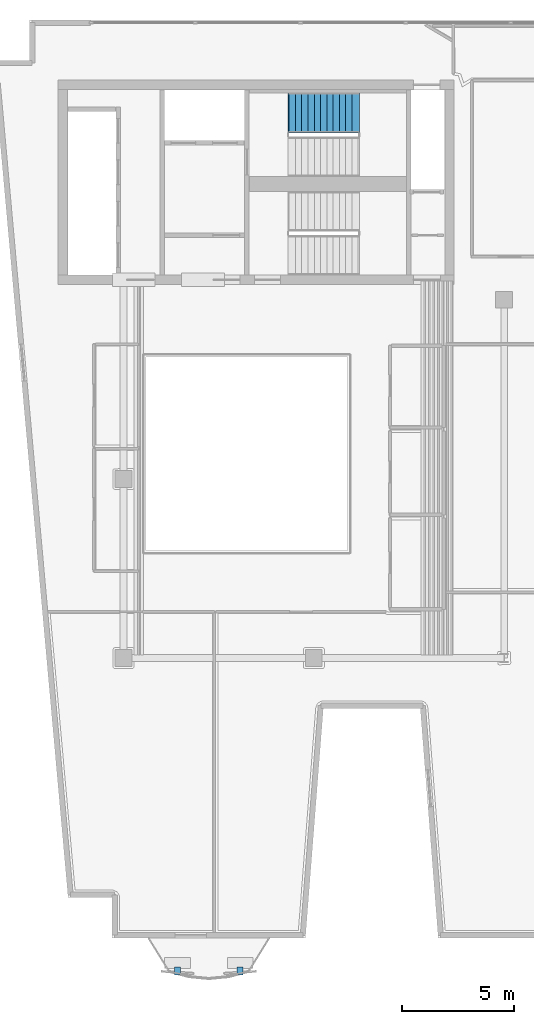
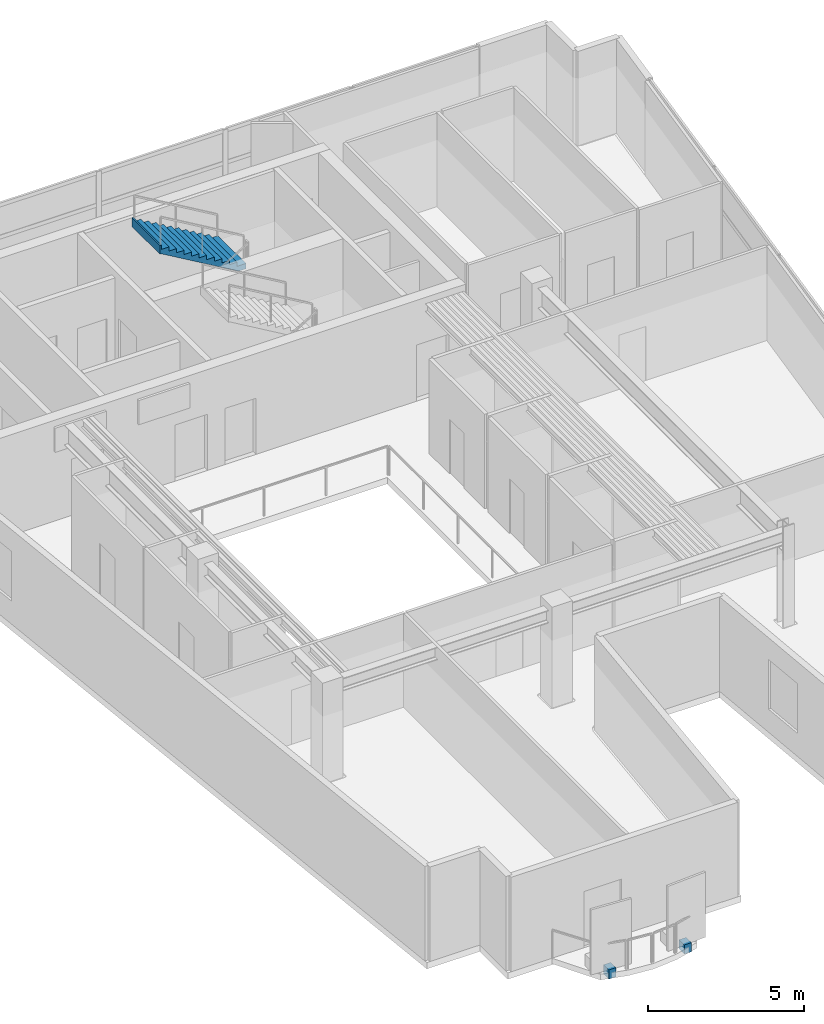
# One storey, part 6 of 8: 2 discrete accessories, 1 stair flight, 1 element without a shape of its own.
"""IFC4 building model written with IfcOpenShell, lengths in metres."""

from ifc_helpers import new_model, si_unit, direction, frame, origin, origin_2d, place, context, subcontext, project, spatial, polyline, rectangle, outline, extrude, material, type_object, element, aggregate, save


model = new_model("IFC4")

# Units and contexts
model_context = context("Model", 3, precision=1e-05, world=origin(), true_north=direction((0.0, 1.0)))
body_context = subcontext(model_context, "Body", "Model", "MODEL_VIEW")
ifc_project = project(units=[si_unit("LENGTHUNIT", "METRE"), si_unit("AREAUNIT", "SQUARE_METRE"), si_unit("VOLUMEUNIT", "CUBIC_METRE"), si_unit("PLANEANGLEUNIT", "RADIAN"), si_unit("MASSUNIT", "GRAM", prefix="KILO")], contexts=[model_context])

# Site, building, storey
site_placement = place(None, origin())
site = spatial("IfcSite", under=ifc_project, at=site_placement, CompositionType="ELEMENT")
building_placement = place(site_placement, origin())
building = spatial("IfcBuilding", under=site, at=building_placement, Name="Caeloran Harvest Quay", CompositionType="ELEMENT")
storey_placement = place(building_placement, frame((0.0, 0.0, 260.64990234375)))
storey = spatial("IfcBuildingStorey", under=building, at=storey_placement, Name="L62", CompositionType="ELEMENT", Elevation=260.64990234375)

# Stair, stair flight
ifc_material_1 = material(Name="Concrete C50/60", Category="concrete")
stair_type = type_object("IfcStairType", Name="STAIR-STC-180", PredefinedType="HALF_TURN_STAIR", material=ifc_material_1)
stair_placement = place(storey_placement, origin())
stair = element("IfcStair", 1, at=stair_placement, inside=storey, type_object=stair_type, Name="L62 Core Pressurized Exit Stair ST-C1", PredefinedType="HALF_TURN_STAIR")
stair_flight_type = type_object("IfcStairFlightType", Name="FLIGHT-STC-180", PredefinedType="STRAIGHT", material=ifc_material_1)
stair_flight_placement = place(storey_placement, frame((18.97998046875, 39.35009765625, 1.97509765625), z_axis=(0.0, 0.0, 1.0), x_axis=(-1.0, 0.0, 0.0)))
stair_flight = element("IfcStairFlight", 2, at=stair_flight_placement, type_object=stair_flight_type, Name="ST-C1 flight 2", NumberOfRisers=12, NumberOfTreads=11, PredefinedType="STRAIGHT", RiserHeight=0.164583333, TreadLength=0.28, context=body_context, shape_type="SweptSolid", body=[
    extrude(outline(polyline([(-0.054931640625, -0.044921875), (-0.054931640625, -0.031982421875), (-0.054931640625, -0.018798828125), (-0.054931640625, -0.005615234375), (-0.054931640625, 0.00732421875), (-0.054931640625, 0.0205078125), (-0.054931640625, 0.03369140625), (-0.054931640625, 0.046630859375), (-0.054931640625, 0.059814453125), (-0.054931640625, 0.072998046875), (-0.054931640625, 0.0859375), (-0.054931640625, 0.09912109375), (-0.054931640625, 0.1123046875), (-0.054931640625, 0.125244140625), (-0.054931640625, 0.138427734375), (-0.054931640625, 0.1513671875), (-0.054931640625, 0.16455078125), (0.280029296875, 0.16455078125), (0.280029296875, 0.3291015625), (0.56005859375, 0.3291015625), (0.56005859375, 0.49365234375), (0.840087890625, 0.49365234375), (0.840087890625, 0.658447265625), (1.1201171875, 0.658447265625), (1.1201171875, 0.822998046875), (1.39990234375, 0.822998046875), (1.39990234375, 0.987548828125), (1.679931640625, 0.987548828125), (1.679931640625, 1.152099609375), (1.9599609375, 1.152099609375), (1.9599609375, 1.316650390625), (2.239990234375, 1.316650390625), (2.239990234375, 1.481201171875), (2.52001953125, 1.481201171875), (2.52001953125, 1.645751953125), (2.800048828125, 1.645751953125), (2.800048828125, 1.810302734375), (3.080078125, 1.810302734375), (3.080078125, 1.97509765625), (3.135009765625, 1.97509765625), (3.135009765625, 1.953857421875), (3.135009765625, 1.9326171875), (3.135009765625, 1.91162109375), (3.135009765625, 1.890380859375), (3.135009765625, 1.869140625), (3.135009765625, 1.84814453125), (3.135009765625, 1.826904296875), (3.135009765625, 1.8056640625), (3.135009765625, 1.78466796875), (3.135009765625, 1.763427734375), (3.135009765625, 1.7421875), (3.135009765625, 1.72119140625), (3.135009765625, 1.699951171875), (3.135009765625, 1.678955078125), (3.135009765625, 1.65771484375), (3.135009765625, 1.636474609375), (3.080078125, 1.636474609375), (0.21923828125, -0.044921875), (-0.054931640625, -0.044921875)])), frame((0.0, 0.89990234375, 0.0), z_axis=(0.0, -1.0, 0.0), x_axis=(1.0, 0.0, 0.0)), (0.0, 0.0, 1.0), 1.800048828125),
])
aggregate(stair, [stair_flight])

# Discrete accessories
ifc_material_2 = material(Name="Stainless Steel Grade 316L", Category="steel")
discrete_accessory_type = type_object("IfcDiscreteAccessoryType", Name="BRACKET-SCREEN-SS", PredefinedType="BRACKET", material=ifc_material_2)
for number, where, z_axis, x_axis, name in (
    (3, (13.708740234375, 1.02001953125, -0.2197265625), (0.0, 0.0, 1.0), (1.0, 0.0, 0.0), "L62 Balcony Screen Support Bracket 1"),
    (4, (10.91015625, 1.02001953125, -0.2197265625), (0.0, 0.0, 1.0), (1.0, 0.0, 0.0), "L62 Balcony Screen Support Bracket 2"),
):
    element("IfcDiscreteAccessory", number, at=place(storey_placement, frame(where, z_axis=z_axis, x_axis=x_axis)), inside=storey, type_object=discrete_accessory_type, Name=name, PredefinedType="BRACKET", context=body_context, shape_type="SweptSolid", body=[
        extrude(rectangle(XDim=0.260009765625, YDim=0.340087890625, at=origin_2d()), origin(), (0.0, 0.0, 1.0), 0.360107421875),
    ])

save(model, "model.ifc")
